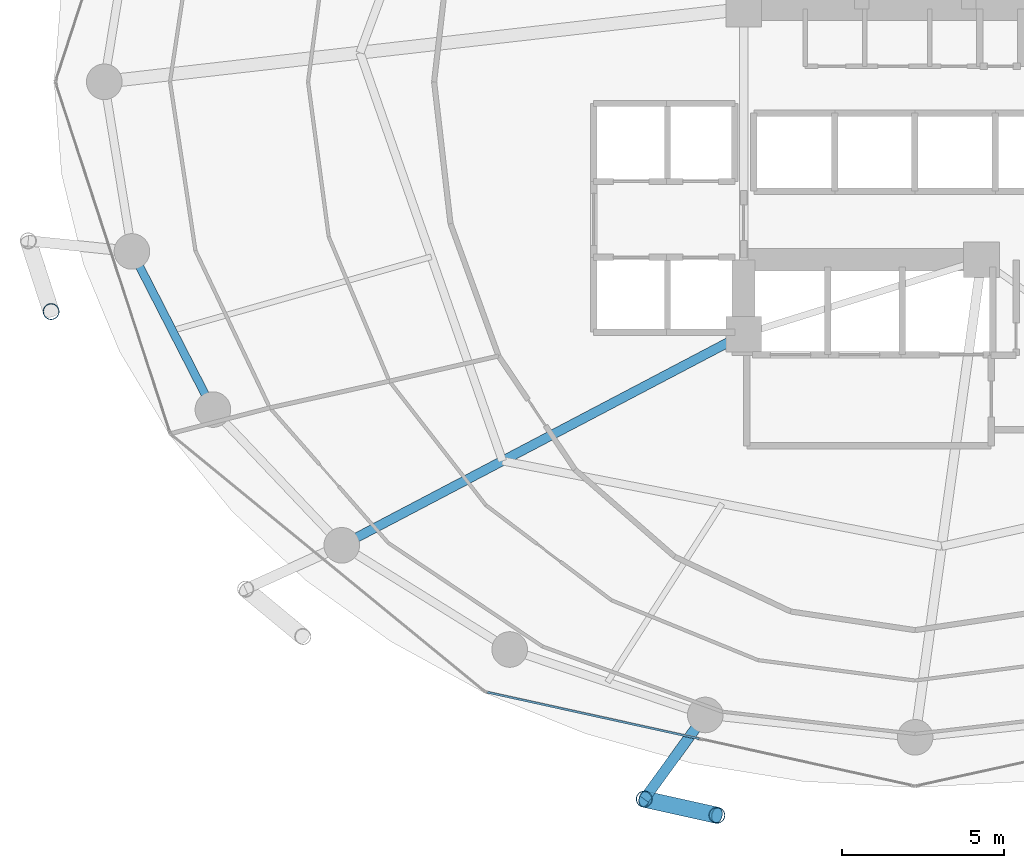
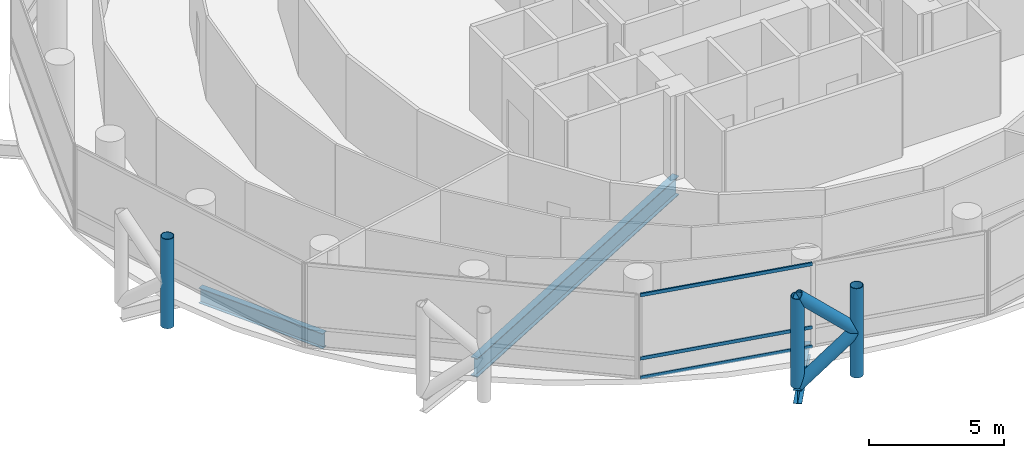
# One storey, part 3 of 26: 8 members, 3 beams, 1 element without a shape of its own.
"""IFC4 building model written with IfcOpenShell, lengths in metres."""

from ifc_helpers import new_model, si_unit, direction, frame, origin, origin_2d, place, context, subcontext, project, spatial, hollow_rectangle, hollow_circle, i_section, extrude, material, layer, layer_set, material_profile, profile_set, type_object, element, aggregate, save


model = new_model("IFC4")

# Units and contexts
model_context = context("Model", 3, precision=1e-05, world=origin(), true_north=direction((0.0, 1.0)))
body_context = subcontext(model_context, "Body", "Model", "MODEL_VIEW")
ifc_project = project(units=[si_unit("LENGTHUNIT", "METRE"), si_unit("AREAUNIT", "SQUARE_METRE"), si_unit("VOLUMEUNIT", "CUBIC_METRE"), si_unit("PLANEANGLEUNIT", "RADIAN"), si_unit("MASSUNIT", "GRAM", prefix="KILO")], contexts=[model_context])

# Site, building, storey
site_placement = place(None, origin())
site = spatial("IfcSite", under=ifc_project, at=site_placement, CompositionType="ELEMENT")
building_placement = place(site_placement, origin())
building = spatial("IfcBuilding", under=site, at=building_placement, Name="Nuhasar Tower", CompositionType="ELEMENT")
storey_placement = place(building_placement, frame((0.0, 0.0, 93.89990234375)))
storey = spatial("IfcBuildingStorey", under=building, at=storey_placement, Name="L22", CompositionType="ELEMENT", Elevation=93.89990234375)

# Beams
ifc_material_1 = material(Name="Steel S355", Category="steel")
ifc_material_profile_1 = material_profile(ifc_material_1, i_section(OverallWidth=0.2919921875, OverallDepth=0.85888671875, WebThickness=0.01708984375, FlangeThickness=0.031005859375, at=origin_2d()), Name="W33X169")
ifc_profile_set_1 = profile_set([ifc_material_profile_1], Name="Steel S355")
beam_type_1 = type_object("IfcBeamType", Name="BM-POD-W33X169", PredefinedType="BEAM", material=ifc_profile_set_1)
beam_1_placement = place(storey_placement, frame((33.699951171875, 19.0, -0.678955078125), z_axis=(-0.885330348705, -0.464962550816, 0.0), x_axis=(0.464962550816, -0.885330348705, 0.0)))
element("IfcBeam", 1, at=beam_1_placement, inside=storey, type_object=beam_type_1, Name="L22 Radial Floor Girder 01", PredefinedType="BEAM", context=body_context, shape_type="SweptSolid", body=[
    extrude(i_section(OverallWidth=0.2919921875, OverallDepth=0.85888671875, WebThickness=0.01708984375, FlangeThickness=0.031005859375, at=origin_2d()), origin(), (0.0, 0.0, 1.0), 14.0205078125),
])
ifc_material_profile_2 = material_profile(ifc_material_1, i_section(OverallWidth=0.256103515625, OverallDepth=0.693115234375, WebThickness=0.014404296875, FlangeThickness=0.023681640625, at=origin_2d()), Name="W27X114")
ifc_profile_set_2 = profile_set([ifc_material_profile_2], Name="Steel S355")
beam_type_2 = type_object("IfcBeamType", Name="BM-RING-W27X114", PredefinedType="SPANDREL", material=ifc_profile_set_2)
beam_2_placement = place(storey_placement, frame((14.803955078125, 21.55908203125, -0.596923828125), z_axis=(0.455930023905, -0.890015625314, 0.0), x_axis=(0.890015625314, 0.455930023905, 0.0)))
element("IfcBeam", 2, at=beam_2_placement, inside=storey, type_object=beam_type_2, Name="L22 Perimeter Ring Spandrel 14", PredefinedType="SPANDREL", context=body_context, shape_type="SweptSolid", body=[
    extrude(i_section(OverallWidth=0.256103515625, OverallDepth=0.693115234375, WebThickness=0.014404296875, FlangeThickness=0.023681640625, at=origin_2d()), origin(), (0.0, 0.0, 1.0), 5.487548828125),
])
ifc_material_profile_3 = material_profile(ifc_material_1, i_section(OverallWidth=0.323974609375, OverallDepth=0.611083984375, WebThickness=0.0126953125, FlangeThickness=0.01904296875, at=origin_2d()), Name="W24X104")
ifc_profile_set_3 = profile_set([ifc_material_profile_3], Name="Steel S355")
beam_type_3 = type_object("IfcBeamType", Name="BM-TIE-W24X104", PredefinedType="BEAM", material=ifc_profile_set_3)
beam_3_placement = place(storey_placement, frame((32.51708984375, 7.239990234375, -0.554931640625), z_axis=(-0.587403316448, -0.809294349311, 0.0), x_axis=(0.809294349311, -0.587403316448, 0.0)))
element("IfcBeam", 3, at=beam_3_placement, inside=storey, type_object=beam_type_3, Name="L22 Exoskeleton Node Tie Beam 09", PredefinedType="BEAM", context=body_context, shape_type="SweptSolid", body=[
    extrude(i_section(OverallWidth=0.323974609375, OverallDepth=0.611083984375, WebThickness=0.0126953125, FlangeThickness=0.01904296875, at=origin_2d()), origin(), (0.0, 0.0, 1.0), 3.212890625),
])

# Curtain wall, members
ifc_material_2 = material(Name="Aluminium 6063-T6", Category="aluminium")
ifc_layer = layer(ifc_material_2, 0.199951171875)
ifc_layer_set = layer_set([ifc_layer], Name="Aluminium 6063-T6")
curtain_wall_type = type_object("IfcCurtainWallType", Name="CW-Z1-OFF", PredefinedType="NOTDEFINED", material=ifc_layer_set)
curtain_wall_placement = place(storey_placement, origin())
curtain_wall = element("IfcCurtainWall", 4, at=curtain_wall_placement, inside=storey, type_object=curtain_wall_type, Name="L22 Unitised Curtain Wall 09", PredefinedType="NOTDEFINED")
ifc_material_profile_4 = material_profile(ifc_material_2, hollow_rectangle(XDim=0.06494140625, YDim=0.14990234375, WallThickness=0.00439453125, at=origin_2d()), Name="CWT-2")
ifc_profile_set_4 = profile_set([ifc_material_profile_4], Name="Aluminium 6063-T6")
member_type_1 = type_object("IfcMemberType", Name="CW-TRN-S2", PredefinedType="USERDEFINED", material=ifc_profile_set_4)
member_1_placement = place(storey_placement, frame((25.783447265625, 7.941162109375, 0.03271484375), z_axis=(0.976741923778, -0.214418316228, 0.0), x_axis=(0.214418316228, 0.976741923778, 0.0)))
member_1 = element("IfcMember", 5, at=member_1_placement, type_object=member_type_1, Name="CW-Z1 transom 1.1", ObjectType="TRANSOM", PredefinedType="USERDEFINED", context=body_context, shape_type="SweptSolid", body=[
    extrude(hollow_rectangle(XDim=0.06494140625, YDim=0.14990234375, WallThickness=0.00439453125, at=origin_2d()), origin(), (0.0, 0.0, 1.0), 6.70068359375),
])
member_2_placement = place(storey_placement, frame((25.783447265625, 7.941162109375, 0.900146484375), z_axis=(0.976741923778, -0.214418316228, 0.0), x_axis=(0.214418316228, 0.976741923778, 0.0)))
member_2 = element("IfcMember", 6, at=member_2_placement, type_object=member_type_1, Name="CW-Z1 transom 1.2", ObjectType="TRANSOM", PredefinedType="USERDEFINED", context=body_context, shape_type="SweptSolid", body=[
    extrude(hollow_rectangle(XDim=0.06494140625, YDim=0.14990234375, WallThickness=0.00439453125, at=origin_2d()), origin(), (0.0, 0.0, 1.0), 6.70068359375),
])
member_3_placement = place(storey_placement, frame((25.783447265625, 7.941162109375, 3.767578125), z_axis=(0.976741923778, -0.214418316228, 0.0), x_axis=(0.214418316228, 0.976741923778, 0.0)))
member_3 = element("IfcMember", 7, at=member_3_placement, type_object=member_type_1, Name="CW-Z1 transom 1.3", ObjectType="TRANSOM", PredefinedType="USERDEFINED", context=body_context, shape_type="SweptSolid", body=[
    extrude(hollow_rectangle(XDim=0.06494140625, YDim=0.14990234375, WallThickness=0.00439453125, at=origin_2d()), origin(), (0.0, 0.0, 1.0), 6.70068359375),
])
aggregate(curtain_wall, [member_1, member_2, member_3])

# Members
ifc_material_3 = material(Name="Steel S460", Category="steel")
ifc_material_profile_5 = material_profile(ifc_material_3, hollow_circle(Radius=0.25390625, WallThickness=0.025390625, at=origin_2d()), Name="HSS508X25.4")
ifc_profile_set_5 = profile_set([ifc_material_profile_5], Name="Steel S460")
member_type_2 = type_object("IfcMemberType", Name="EXO-BRONZE-508", PredefinedType="BRACE", material=ifc_profile_set_5)
for number, where, z_axis, x_axis, name in (
    (8, (12.30810546875, 19.700927734375, 0.0), (0.0, 0.0, 1.0), (1.0, 0.0, 0.0), "L22 Exoskeleton Chord Column EC-07B"),
    (9, (30.6298828125, 4.639892578125, 0.0), (0.0, 0.0, 1.0), (1.0, 0.0, 0.0), "L22 Exoskeleton Chord Column EC-09A"),
    (10, (32.8759765625, 4.14111328125, 0.0), (0.0, 0.0, 1.0), (1.0, 0.0, 0.0), "L22 Exoskeleton Chord Column EC-09B"),
):
    element("IfcMember", number, at=place(storey_placement, frame(where, z_axis=z_axis, x_axis=x_axis)), inside=storey, type_object=member_type_2, Name=name, PredefinedType="BRACE", context=body_context, shape_type="SweptSolid", body=[
        extrude(hollow_circle(Radius=0.25390625, WallThickness=0.025390625, at=origin_2d()), origin(), (0.0, 0.0, 1.0), 4.050048828125),
    ])
member_4_placement = place(storey_placement, frame((30.6298828125, 4.639892578125, 0.0), z_axis=(0.732792408767, -0.162727705556, 0.660707938122), x_axis=(0.216784396973, 0.976219506683, 0.0)))
element("IfcMember", 11, at=member_4_placement, inside=storey, type_object=member_type_2, Name="L22 Bronze Diagrid Brace W1-09", PredefinedType="BRACE", context=body_context, shape_type="SweptSolid", body=[
    extrude(hollow_circle(Radius=0.25390625, WallThickness=0.025390625, at=origin_2d()), origin(), (0.0, 0.0, 1.0), 3.065185546875),
])
member_5_placement = place(storey_placement, frame((32.8759765625, 4.14111328125, 2.025146484375), z_axis=(-0.732830973624, 0.162736269469, 0.66066305383), x_axis=(-0.216784396973, -0.976219506683, 0.0)))
element("IfcMember", 12, at=member_5_placement, inside=storey, type_object=member_type_2, Name="L22 Bronze Diagrid Brace W2-09", PredefinedType="BRACE", context=body_context, shape_type="SweptSolid", body=[
    extrude(hollow_circle(Radius=0.25390625, WallThickness=0.025390625, at=origin_2d()), origin(), (0.0, 0.0, 1.0), 3.06494140625),
])

save(model, "model.ifc")
